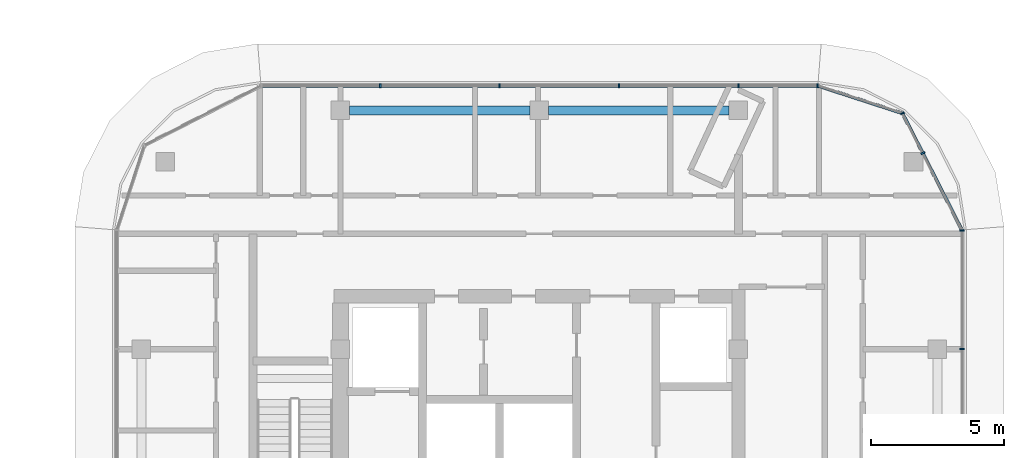
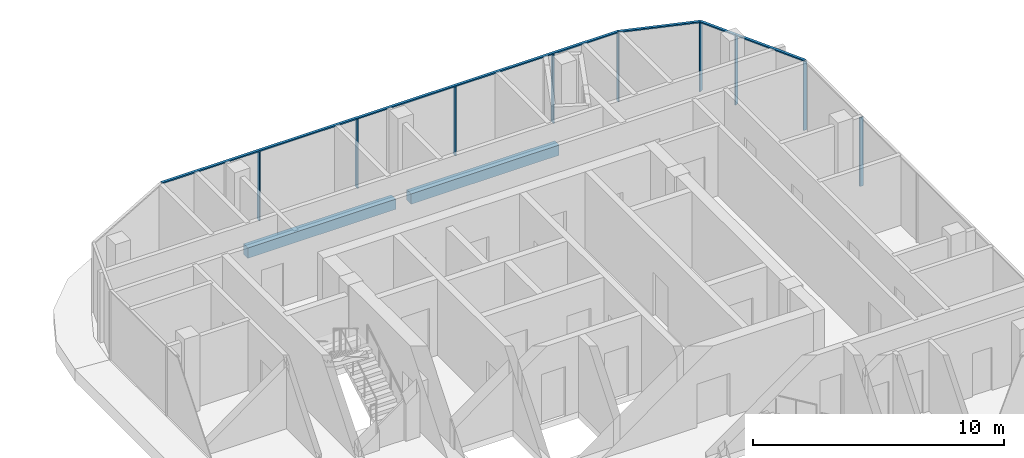
# One storey, part 13 of 40: 13 members, 2 beams, 4 elements without a shape of their own.
"""IFC4 building model written with IfcOpenShell, lengths in metres."""

from ifc_helpers import new_model, si_unit, direction, frame, origin, origin_2d, place, context, subcontext, project, spatial, rectangle, extrude, material, material_profile, profile_set, type_object, element, aggregate, save


model = new_model("IFC4")

# Units and contexts
model_context = context("Model", 3, precision=1e-05, world=origin(), true_north=direction((0.0, 1.0)))
body_context = subcontext(model_context, "Body", "Model", "MODEL_VIEW")
ifc_project = project(units=[si_unit("LENGTHUNIT", "METRE"), si_unit("AREAUNIT", "SQUARE_METRE"), si_unit("VOLUMEUNIT", "CUBIC_METRE"), si_unit("PLANEANGLEUNIT", "RADIAN"), si_unit("MASSUNIT", "GRAM", prefix="KILO")], contexts=[model_context])

# Site, building, storey
site_placement = place(None, origin())
site = spatial("IfcSite", under=ifc_project, at=site_placement, CompositionType="ELEMENT")
building_placement = place(site_placement, origin())
building = spatial("IfcBuilding", under=site, at=building_placement, Name="Ogive Portal Towers", CompositionType="ELEMENT")
storey_placement = place(building_placement, frame((0.0, 0.0, 87.10009765625)))
storey = spatial("IfcBuildingStorey", under=building, at=storey_placement, Name="L20", CompositionType="ELEMENT", Elevation=87.10009765625)

# Curtain wall, members
ifc_material_1 = material(Name="Glass, clear low-iron insulated glazing", Category="glass")
curtain_wall_type = type_object("IfcCurtainWallType", Name="CW RESIDENCES RIBBON", PredefinedType="NOTDEFINED", material=ifc_material_1)
curtain_wall_1_placement = place(storey_placement, origin())
curtain_wall_1 = element("IfcCurtainWall", 1, at=curtain_wall_1_placement, inside=storey, type_object=curtain_wall_type, Name="B:L20:f05:cw0", PredefinedType="NOTDEFINED")
ifc_material_2 = material(Name="Aluminium 6063 anodised", Category="aluminium")
ifc_material_profile_1 = material_profile(ifc_material_2, rectangle(XDim=0.159912109375, YDim=0.06005859375, at=origin_2d()), Name="AL 60x160")
ifc_profile_set_1 = profile_set([ifc_material_profile_1], Name="Aluminium 6063 anodised")
member_type_1 = type_object("IfcMemberType", Name="CW MULLION 60x160", PredefinedType="MULLION", material=ifc_profile_set_1)
member_1_placement = place(storey_placement, frame((152.429931640625, 35.5, 0.0), z_axis=(0.0, 0.0, 1.0), x_axis=(-1.0, 0.0, 0.0)))
member_1 = element("IfcMember", 2, at=member_1_placement, type_object=member_type_1, Name="mullion", PredefinedType="MULLION", context=body_context, shape_type="SweptSolid", body=[
    extrude(rectangle(XDim=0.159912109375, YDim=0.06005859375, at=origin_2d()), origin(), (0.0, 0.0, 1.0), 3.33984375),
])
member_2_placement = place(storey_placement, frame((152.429931640625, 39.980712890625, 0.0), z_axis=(0.0, 0.0, 1.0), x_axis=(-1.0, 0.0, 0.0)))
member_2 = element("IfcMember", 3, at=member_2_placement, type_object=member_type_1, Name="mullion", PredefinedType="MULLION", context=body_context, shape_type="SweptSolid", body=[
    extrude(rectangle(XDim=0.159912109375, YDim=0.06005859375, at=origin_2d()), origin(), (0.0, 0.0, 1.0), 3.33984375),
])
aggregate(curtain_wall_1, [member_1, member_2])

curtain_wall_2_placement = place(storey_placement, origin())
curtain_wall_2 = element("IfcCurtainWall", 4, at=curtain_wall_2_placement, inside=storey, type_object=curtain_wall_type, Name="B:L20:f08:cw0", PredefinedType="NOTDEFINED")
member_3_placement = place(storey_placement, frame((146.9873046875, 45.429931640625, 0.0), z_axis=(0.0, 0.0, 1.0), x_axis=(0.0, -1.0, 0.0)))
member_3 = element("IfcMember", 5, at=member_3_placement, type_object=member_type_1, Name="mullion", PredefinedType="MULLION", context=body_context, shape_type="SweptSolid", body=[
    extrude(rectangle(XDim=0.159912109375, YDim=0.06005859375, at=origin_2d()), origin(), (0.0, 0.0, 1.0), 3.33984375),
])
member_4_placement = place(storey_placement, frame((144.0, 45.429931640625, 0.0), z_axis=(0.0, 0.0, 1.0), x_axis=(0.0, -1.0, 0.0)))
member_4 = element("IfcMember", 6, at=member_4_placement, type_object=member_type_1, Name="mullion", PredefinedType="MULLION", context=body_context, shape_type="SweptSolid", body=[
    extrude(rectangle(XDim=0.159912109375, YDim=0.06005859375, at=origin_2d()), origin(), (0.0, 0.0, 1.0), 3.33984375),
])
member_5_placement = place(storey_placement, frame((139.5, 45.429931640625, 0.0), z_axis=(0.0, 0.0, 1.0), x_axis=(0.0, -1.0, 0.0)))
member_5 = element("IfcMember", 7, at=member_5_placement, type_object=member_type_1, Name="mullion", PredefinedType="MULLION", context=body_context, shape_type="SweptSolid", body=[
    extrude(rectangle(XDim=0.159912109375, YDim=0.06005859375, at=origin_2d()), origin(), (0.0, 0.0, 1.0), 3.33984375),
])
member_6_placement = place(storey_placement, frame((135.0, 45.429931640625, 0.0), z_axis=(0.0, 0.0, 1.0), x_axis=(0.0, -1.0, 0.0)))
member_6 = element("IfcMember", 8, at=member_6_placement, type_object=member_type_1, Name="mullion", PredefinedType="MULLION", context=body_context, shape_type="SweptSolid", body=[
    extrude(rectangle(XDim=0.159912109375, YDim=0.06005859375, at=origin_2d()), origin(), (0.0, 0.0, 1.0), 3.33984375),
])
member_7_placement = place(storey_placement, frame((130.5, 45.429931640625, 0.0), z_axis=(0.0, 0.0, 1.0), x_axis=(0.0, -1.0, 0.0)))
member_7 = element("IfcMember", 9, at=member_7_placement, type_object=member_type_1, Name="mullion", PredefinedType="MULLION", context=body_context, shape_type="SweptSolid", body=[
    extrude(rectangle(XDim=0.159912109375, YDim=0.06005859375, at=origin_2d()), origin(), (0.0, 0.0, 1.0), 3.33984375),
])

# Curtain wall, member
curtain_wall_3_placement = place(storey_placement, origin())
curtain_wall_3 = element("IfcCurtainWall", 10, at=curtain_wall_3_placement, inside=storey, type_object=curtain_wall_type, Name="B:L20:f06:cwa~0", PredefinedType="NOTDEFINED")
member_8_placement = place(storey_placement, frame((150.948974609375, 42.887451171875, 0.0), z_axis=(0.0, 0.0, 1.0), x_axis=(-0.891006524188, -0.45399049974, 0.0)))
member_8 = element("IfcMember", 11, at=member_8_placement, type_object=member_type_1, Name="mullion", PredefinedType="MULLION", context=body_context, shape_type="SweptSolid", body=[
    extrude(rectangle(XDim=0.159912109375, YDim=0.06005859375, at=origin_2d()), origin(), (0.0, 0.0, 1.0), 3.33984375),
])

curtain_wall_4_placement = place(storey_placement, origin())
curtain_wall_4 = element("IfcCurtainWall", 12, at=curtain_wall_4_placement, inside=storey, type_object=curtain_wall_type, Name="B:L20:f06:cwa~1", PredefinedType="NOTDEFINED")
member_9_placement = place(storey_placement, frame((150.182373046875, 44.391845703125, 0.0), z_axis=(0.0, 0.0, 1.0), x_axis=(-0.891006524188, -0.45399049974, 0.0)))
member_9 = element("IfcMember", 13, at=member_9_placement, type_object=member_type_1, Name="mullion", PredefinedType="MULLION", context=body_context, shape_type="SweptSolid", body=[
    extrude(rectangle(XDim=0.159912109375, YDim=0.06005859375, at=origin_2d()), origin(), (0.0, 0.0, 1.0), 3.33984375),
])

# Member
ifc_material_profile_2 = material_profile(ifc_material_2, rectangle(XDim=0.1201171875, YDim=0.06005859375, at=origin_2d()), Name="AL 120x60")
ifc_profile_set_2 = profile_set([ifc_material_profile_2], Name="Aluminium 6063 anodised")
member_type_2 = type_object("IfcMemberType", Name="CW TRANSOM 60x120", PredefinedType="USERDEFINED", material=ifc_profile_set_2)
member_10_placement = place(storey_placement, frame((146.9873046875, 45.429931640625, 3.369873046875), z_axis=(-1.0, 0.0, 0.0), x_axis=(0.0, -1.0, 0.0)))
member_10 = element("IfcMember", 14, at=member_10_placement, type_object=member_type_2, Name="transom", ObjectType="TRANSOM", PredefinedType="USERDEFINED", context=body_context, shape_type="SweptSolid", body=[
    extrude(rectangle(XDim=0.1201171875, YDim=0.06005859375, at=origin_2d()), origin(), (0.0, 0.0, 1.0), 20.968017578125),
])

aggregate(curtain_wall_2, [member_10, member_3, member_4, member_5, member_6, member_7])

member_11_placement = place(storey_placement, frame((152.429931640625, 39.980712890625, 3.369873046875), z_axis=(-0.453966140065, 0.891018935643, 0.0), x_axis=(-0.891018935643, -0.453966140065, 0.0)))
member_11 = element("IfcMember", 15, at=member_11_placement, type_object=member_type_2, Name="transom", ObjectType="TRANSOM", PredefinedType="USERDEFINED", context=body_context, shape_type="SweptSolid", body=[
    extrude(rectangle(XDim=0.1201171875, YDim=0.06005859375, at=origin_2d()), origin(), (0.0, 0.0, 1.0), 3.26220703125),
])

aggregate(curtain_wall_3, [member_11, member_8])

member_12_placement = place(storey_placement, frame((150.9384765625, 42.907958984375, 3.369873046875), z_axis=(-0.45400264024, 0.89100033819, 0.0), x_axis=(-0.89100033819, -0.45400264024, 0.0)))
member_12 = element("IfcMember", 16, at=member_12_placement, type_object=member_type_2, Name="transom", ObjectType="TRANSOM", PredefinedType="USERDEFINED", context=body_context, shape_type="SweptSolid", body=[
    extrude(rectangle(XDim=0.1201171875, YDim=0.06005859375, at=origin_2d()), origin(), (0.0, 0.0, 1.0), 1.66552734375),
])

member_13_placement = place(storey_placement, frame((150.182373046875, 44.391845703125, 3.369873046875), z_axis=(-0.951061301714, 0.309002265981, 0.0), x_axis=(-0.309002265981, -0.951061301714, 0.0)))
member_13 = element("IfcMember", 17, at=member_13_placement, type_object=member_type_2, Name="transom", ObjectType="TRANSOM", PredefinedType="USERDEFINED", context=body_context, shape_type="SweptSolid", body=[
    extrude(rectangle(XDim=0.1201171875, YDim=0.06005859375, at=origin_2d()), origin(), (0.0, 0.0, 1.0), 3.359375),
])

aggregate(curtain_wall_4, [member_12, member_13, member_9])

# Beams
ifc_material_3 = material(Name="Concrete C50/60", Category="concrete")
ifc_material_profile_3 = material_profile(ifc_material_3, rectangle(XDim=0.35009765625, YDim=0.5, at=origin_2d()), Name="RC 350x500")
ifc_profile_set_3 = profile_set([ifc_material_profile_3], Name="Concrete C50/60")
beam_type = type_object("IfcBeamType", Name="SPANDREL BEAM RC 350x500", PredefinedType="BEAM", material=ifc_profile_set_3)
for number, where, z_axis, x_axis, name in (
    (18, (143.64990234375, 44.5, -0.550048828125), (-1.0, 0.0, 0.0), (0.0, -1.0, 0.0), "Spandrel beam L20"),
    (19, (136.14990234375, 44.5, -0.550048828125), (-1.0, 0.0, 0.0), (0.0, -1.0, 0.0), "Spandrel beam L20"),
):
    element("IfcBeam", number, at=place(storey_placement, frame(where, z_axis=z_axis, x_axis=x_axis)), inside=storey, type_object=beam_type, Name=name, PredefinedType="BEAM", context=body_context, shape_type="SweptSolid", body=[
        extrude(rectangle(XDim=0.35009765625, YDim=0.5, at=origin_2d()), origin(), (0.0, 0.0, 1.0), 6.7998046875),
    ])

save(model, "model.ifc")
